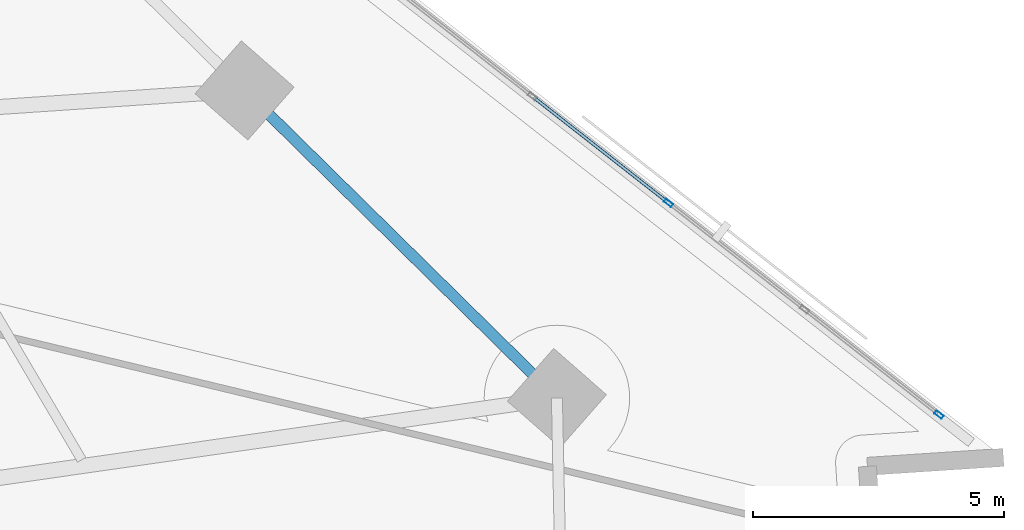
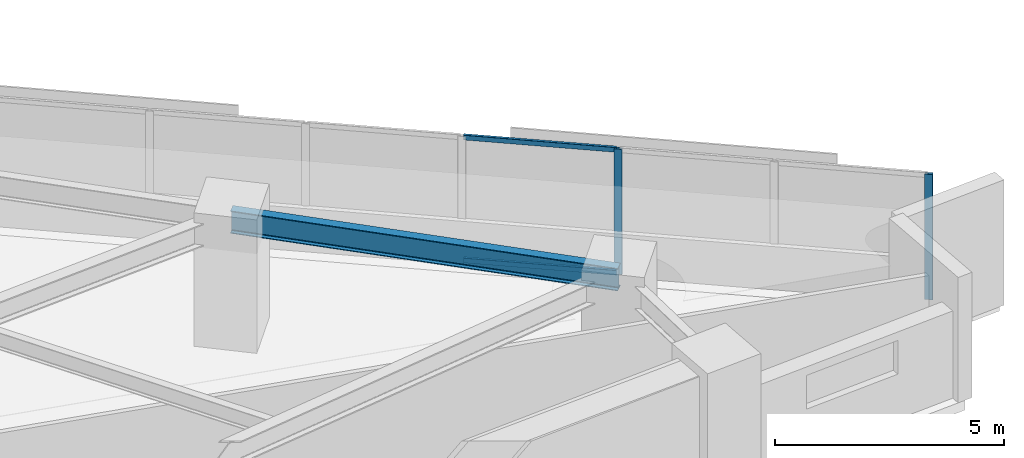
# One storey, part 4 of 16: 4 members, 1 beam, 1 element without a shape of its own.
"""IFC4 building model written with IfcOpenShell, lengths in metres."""

from ifc_helpers import new_model, si_unit, direction, frame, origin, origin_2d, place, context, subcontext, project, spatial, hollow_rectangle, i_section, extrude, material, material_profile, profile_set, type_object, element, aggregate, save


model = new_model("IFC4")

# Units and contexts
model_context = context("Model", 3, precision=1e-05, world=origin(), true_north=direction((0.0, 1.0)))
body_context = subcontext(model_context, "Body", "Model", "MODEL_VIEW")
ifc_project = project(units=[si_unit("LENGTHUNIT", "METRE"), si_unit("AREAUNIT", "SQUARE_METRE"), si_unit("VOLUMEUNIT", "CUBIC_METRE"), si_unit("PLANEANGLEUNIT", "RADIAN"), si_unit("MASSUNIT", "GRAM", prefix="KILO")], contexts=[model_context])

# Site, building, storey
site_placement = place(None, origin())
site = spatial("IfcSite", under=ifc_project, at=site_placement, CompositionType="ELEMENT")
building_placement = place(site_placement, origin())
building = spatial("IfcBuilding", under=site, at=building_placement, Name="Narakoshi Arena Tower", CompositionType="ELEMENT")
storey_placement = place(building_placement, frame((0.0, 0.0, 84.89990234375)))
storey = spatial("IfcBuildingStorey", under=building, at=storey_placement, Name="L22", CompositionType="ELEMENT", Elevation=84.89990234375)

# Beam
ifc_material_1 = material(Name="Structural steel S355J2", Category="steel")
ifc_material_profile_1 = material_profile(ifc_material_1, i_section(OverallWidth=0.219970703125, OverallDepth=0.60009765625, WebThickness=0.011962890625, FlangeThickness=0.01904296875, FilletRadius=0.02392578125, at=origin_2d()), Name="IPE600")
ifc_profile_set_1 = profile_set([ifc_material_profile_1], Name="Structural steel S355J2")
beam_type = type_object("IfcBeamType", Name="BM-EDGE-600", PredefinedType="BEAM", material=ifc_profile_set_1)
beam_placement = place(storey_placement, frame((113.21630859375, 38.669189453125, 3.0400390625), z_axis=(-0.712519972485, 0.701651828765, 0.0), x_axis=(-0.701651828765, -0.712519972485, 0.0)))
element("IfcBeam", 1, at=beam_placement, inside=storey, type_object=beam_type, Name="L22 Perimeter Edge Girder 05", PredefinedType="BEAM", context=body_context, shape_type="SweptSolid", body=[
    extrude(i_section(OverallWidth=0.219970703125, OverallDepth=0.60009765625, WebThickness=0.011962890625, FlangeThickness=0.01904296875, FilletRadius=0.02392578125, at=origin_2d()), origin(), (0.0, 0.0, 1.0), 8.738525390625),
])

# Curtain wall, members
ifc_material_2 = material(Name="Anodised bronze aluminium 6063-T6", Category="aluminium")
curtain_wall_type = type_object("IfcCurtainWallType", Name="CW-HYP-LOW", PredefinedType="NOTDEFINED", material=ifc_material_2)
curtain_wall_placement = place(storey_placement, origin())
curtain_wall = element("IfcCurtainWall", 2, at=curtain_wall_placement, inside=storey, type_object=curtain_wall_type, Name="L22 Folded Hypotenuse Curtain Wall 1-1", PredefinedType="NOTDEFINED")
ifc_material_profile_2 = material_profile(ifc_material_2, hollow_rectangle(XDim=0.074951171875, YDim=0.179931640625, WallThickness=0.00390625, OuterFilletRadius=0.0048828125, at=origin_2d()), Name="MUL180x75x4")
ifc_profile_set_2 = profile_set([ifc_material_profile_2], Name="Anodised bronze aluminium 6063-T6")
member_type_1 = type_object("IfcMemberType", Name="MEM-MUL-180", PredefinedType="MULLION", material=ifc_profile_set_2)
member_1_placement = place(storey_placement, frame((120.83251953125, 38.336181640625, 0.0), z_axis=(0.0, 0.0, 1.0), x_axis=(-0.616458234641, -0.787387607817, 0.0)))
member_1 = element("IfcMember", 3, at=member_1_placement, type_object=member_type_1, Name="CW-01 mullion 1", PredefinedType="MULLION", context=body_context, shape_type="SweptSolid", body=[
    extrude(hollow_rectangle(XDim=0.074951171875, YDim=0.179931640625, WallThickness=0.00390625, OuterFilletRadius=0.0048828125, at=origin_2d()), origin(), (0.0, 0.0, 1.0), 3.340087890625),
])
member_2_placement = place(storey_placement, frame((115.43896484375, 42.558837890625, 0.0), z_axis=(0.0, 0.0, 1.0), x_axis=(-0.616458234641, -0.787387607817, 0.0)))
member_2 = element("IfcMember", 4, at=member_2_placement, type_object=member_type_1, Name="CW-01 mullion 3", PredefinedType="MULLION", context=body_context, shape_type="SweptSolid", body=[
    extrude(hollow_rectangle(XDim=0.074951171875, YDim=0.179931640625, WallThickness=0.00390625, OuterFilletRadius=0.0048828125, at=origin_2d()), origin(), (0.0, 0.0, 1.0), 3.340087890625),
])
ifc_material_profile_3 = material_profile(ifc_material_2, hollow_rectangle(XDim=0.06494140625, YDim=0.1298828125, WallThickness=0.00390625, OuterFilletRadius=0.0048828125, at=origin_2d()), Name="TRN130x65x4")
ifc_profile_set_3 = profile_set([ifc_material_profile_3], Name="Anodised bronze aluminium 6063-T6")
member_type_2 = type_object("IfcMemberType", Name="MEM-TRN-130", PredefinedType="USERDEFINED", material=ifc_profile_set_3)
member_3_placement = place(storey_placement, frame((115.409423828125, 42.58203125, 0.03271484375), z_axis=(-0.787373456673, 0.616476309137, 0.0), x_axis=(-0.616476309137, -0.787373456673, 0.0)))
member_3 = element("IfcMember", 5, at=member_3_placement, type_object=member_type_2, Name="CW-01 transom 3.1", ObjectType="TRANSOM", PredefinedType="USERDEFINED", context=body_context, shape_type="SweptSolid", body=[
    extrude(hollow_rectangle(XDim=0.06494140625, YDim=0.1298828125, WallThickness=0.00390625, OuterFilletRadius=0.0048828125, at=origin_2d()), origin(), (0.0, 0.0, 1.0), 3.36865234375),
])
member_4_placement = place(storey_placement, frame((115.409423828125, 42.58203125, 3.3076171875), z_axis=(-0.787373456673, 0.616476309137, 0.0), x_axis=(-0.616476309137, -0.787373456673, 0.0)))
member_4 = element("IfcMember", 6, at=member_4_placement, type_object=member_type_2, Name="CW-01 transom 3.2", ObjectType="TRANSOM", PredefinedType="USERDEFINED", context=body_context, shape_type="SweptSolid", body=[
    extrude(hollow_rectangle(XDim=0.06494140625, YDim=0.1298828125, WallThickness=0.00390625, OuterFilletRadius=0.0048828125, at=origin_2d()), origin(), (0.0, 0.0, 1.0), 3.36865234375),
])
aggregate(curtain_wall, [member_1, member_2, member_3, member_4])

save(model, "model.ifc")
